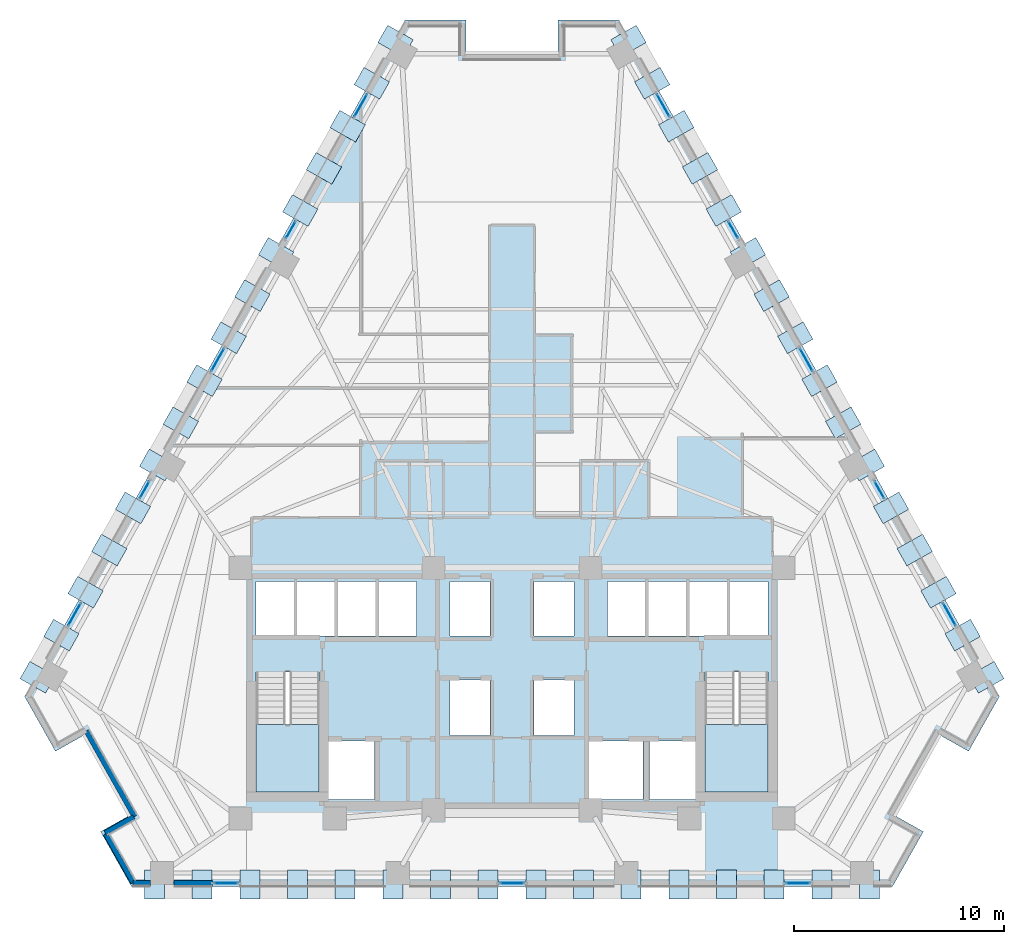
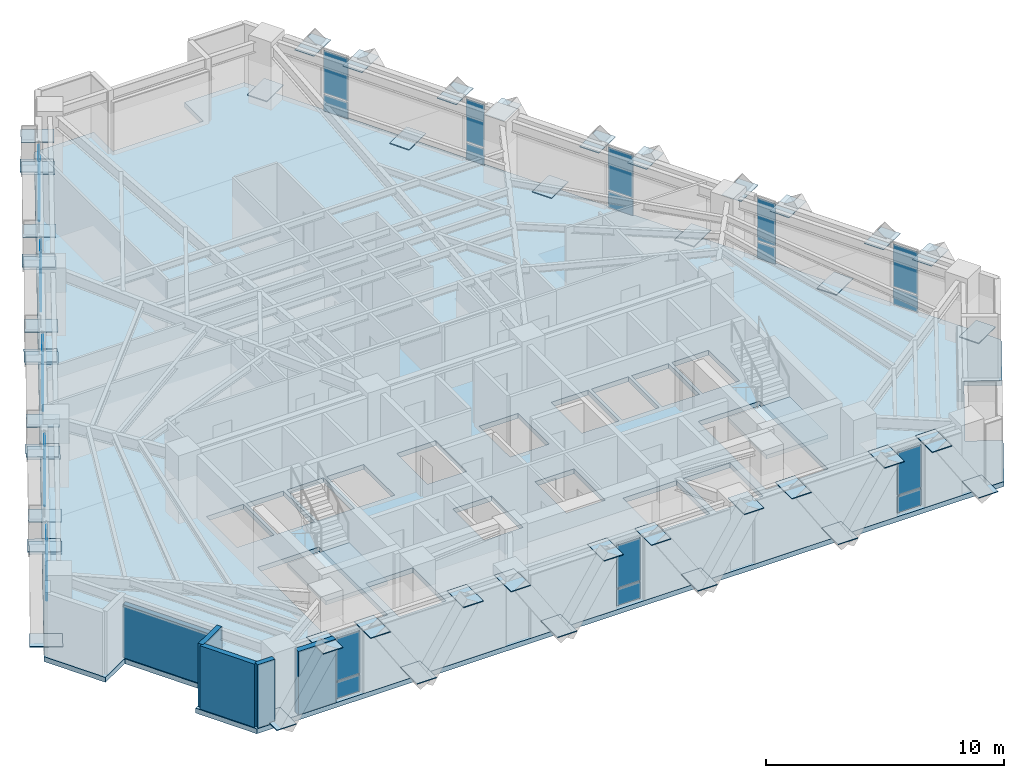
# One storey, part 6 of 13: 74 plates, 5 walls, 3 slabs, 15 elements without a shape of their own.
"""IFC4 building model written with IfcOpenShell, lengths in metres."""

import ifcopenshell
import ifcopenshell.guid

model = None  # the IFC model being written
_history = None  # IfcOwnerHistory: only IFC2X3 demands one
_inside = {}  # id of a spatial element -> (the spatial element, [elements in it])
_under = {}  # id of a project, library or spatial element -> (it, [spatial elements below it])
_declared = {}  # id of a project -> (the project, [libraries it declares])
_typed = {}  # id of a type object -> (the type object, [elements of that type])
_made_of = {}  # id of a material, layer set ... -> (it, [elements and type objects made of it])


def new_model(schema):
    """Start an empty IFC model of exactly this schema.

    Asked for "IFC4X3", IfcOpenShell would pick the latest addendum, in which some entities
    have other attributes; the version numbers below select the first issue.
    IFC2X3 requires an IfcOwnerHistory on every rooted entity: one is made here for all.
    """
    global model, _history
    if schema == "IFC4X3":
        model = ifcopenshell.file(schema_version=(4, 3, 0, 0))
    else:
        model = ifcopenshell.file(schema=schema)
    _inside.clear()
    _under.clear()
    _declared.clear()
    _typed.clear()
    _made_of.clear()
    _history = None
    if model.schema == "IFC2X3":
        org = make("IfcOrganization", Name="unknown")
        user = make(
            "IfcPersonAndOrganization",
            ThePerson=make("IfcPerson", FamilyName="unknown"),
            TheOrganization=org,
        )
        app = make(
            "IfcApplication",
            ApplicationDeveloper=org,
            Version="unknown",
            ApplicationFullName="unknown",
            ApplicationIdentifier="unknown",
        )
        _history = make(
            "IfcOwnerHistory",
            OwningUser=user,
            OwningApplication=app,
            ChangeAction="ADDED",
            CreationDate=0,
        )
    return model


def make(cls, **values):
    """One entity of the class cls with the attributes given. An attribute that is None is left unset."""
    return model.create_entity(
        cls, **{name: value for name, value in values.items() if value is not None}
    )


def rooted(cls, **values):
    """An entity with a GlobalId (a new one), such as an element, a storey or a relation."""
    return make(cls, GlobalId=ifcopenshell.guid.new(), OwnerHistory=_history, **values)


def si_unit(unit_type, name, prefix=None):
    """IfcSIUnit, for example si_unit("LENGTHUNIT", "METRE", prefix="MILLI")."""
    return make("IfcSIUnit", UnitType=unit_type, Prefix=prefix, Name=name)


def assignment(units):
    """IfcUnitAssignment: the units of a project."""
    return None if units is None else make("IfcUnitAssignment", Units=units)


def point(xyz):
    """IfcCartesianPoint."""
    return None if xyz is None else make("IfcCartesianPoint", Coordinates=xyz)


def direction(xyz):
    """IfcDirection."""
    return None if xyz is None else make("IfcDirection", DirectionRatios=xyz)


def frame(location, z_axis=None, x_axis=None):
    """IfcAxis2Placement3D, a coordinate frame: its origin and axes. An axis left out is left unset."""
    return make(
        "IfcAxis2Placement3D",
        Location=point(location),
        Axis=direction(z_axis),
        RefDirection=direction(x_axis),
    )


def frame_2d(location, x_axis=None):
    """IfcAxis2Placement2D, a coordinate frame in the plane: its origin and x axis."""
    return make(
        "IfcAxis2Placement2D", Location=point(location), RefDirection=direction(x_axis)
    )


def origin():
    """The frame at (0, 0, 0) with its axes left unset."""
    return frame((0.0, 0.0, 0.0))


def origin_2d():
    """The frame at (0, 0) in the plane with its x axis left unset."""
    return frame_2d((0.0, 0.0))


def place(relative_to, where):
    """IfcLocalPlacement: puts the frame where relative to a parent placement (None: the world)."""
    return make(
        "IfcLocalPlacement", PlacementRelTo=relative_to, RelativePlacement=where
    )


def context(
    kind, dimensions, precision=None, world=None, true_north=None, identifier=None
):
    """IfcGeometricRepresentationContext, for example the 3D "Model" context."""
    return make(
        "IfcGeometricRepresentationContext",
        ContextIdentifier=identifier,
        ContextType=kind,
        CoordinateSpaceDimension=dimensions,
        Precision=precision,
        WorldCoordinateSystem=world,
        TrueNorth=true_north,
    )


def subcontext(parent, identifier, kind, view, scale=None):
    """IfcGeometricRepresentationSubContext, for example "Body" below "Model"."""
    return make(
        "IfcGeometricRepresentationSubContext",
        ContextIdentifier=identifier,
        ContextType=kind,
        ParentContext=parent,
        TargetScale=scale,
        TargetView=view,
    )


def project(units=None, contexts=None):
    """IfcProject with its units and contexts."""
    return rooted(
        "IfcProject",
        Name="project",
        RepresentationContexts=contexts,
        UnitsInContext=assignment(units),
    )


def spatial(cls, under=None, at=None, **own):
    """A site, building, storey or space (cls), placed at a placement, below another one or the project."""
    s = rooted(cls, ObjectPlacement=at, **own)
    if under is not None:
        _under.setdefault(under.id(), (under, []))[1].append(s)
    return s


def polyline(points):
    """IfcPolyline through the points."""
    return make("IfcPolyline", Points=[point(p) for p in points])


def profile(cls, at=None, kind="AREA", **sizes):
    """A parametric profile (cls). Its sizes go by their IFC names, for example OverallWidth=200.0."""
    return make(cls, ProfileType=kind, Position=at, **sizes)


def rectangle(**sizes):
    """IfcRectangleProfileDef."""
    return profile("IfcRectangleProfileDef", **sizes)


def outline(outer, holes=None, kind="AREA"):
    """IfcArbitraryClosedProfileDef: a profile drawn as a closed curve; with holes, ...WithVoids."""
    if holes is None:
        return make("IfcArbitraryClosedProfileDef", ProfileType=kind, OuterCurve=outer)
    return make(
        "IfcArbitraryProfileDefWithVoids",
        ProfileType=kind,
        OuterCurve=outer,
        InnerCurves=holes,
    )


def extrude(swept, where, along, depth):
    """IfcExtrudedAreaSolid: the profile swept, set in the frame where, extruded along a direction by depth."""
    return make(
        "IfcExtrudedAreaSolid",
        SweptArea=swept,
        Position=where,
        ExtrudedDirection=direction(along),
        Depth=depth,
    )


def shape(context_of_items, identifier, shape_type, items):
    """IfcShapeRepresentation: the items that make up one representation, for example the "Body"."""
    return make(
        "IfcShapeRepresentation",
        ContextOfItems=context_of_items,
        RepresentationIdentifier=identifier,
        RepresentationType=shape_type,
        Items=items,
    )


def material(Name=None, Category=None):
    """IfcMaterial."""
    return make("IfcMaterial", Name=Name, Category=Category)


def layer(
    of_material, thickness, ventilated=None, Name=None, Category=None, Priority=None
):
    """IfcMaterialLayer: one layer of a wall or slab, of a material (None: an air gap)."""
    return make(
        "IfcMaterialLayer",
        Material=of_material,
        LayerThickness=thickness,
        IsVentilated=ventilated,
        Name=Name,
        Category=Category,
        Priority=Priority,
    )


def layer_set(layers, Name=None):
    """IfcMaterialLayerSet."""
    return make("IfcMaterialLayerSet", MaterialLayers=layers, LayerSetName=Name)


def made_of(thing, what):
    """Note that an element or type object is made of a material, layer set ...; save() writes the relation."""
    if what is not None:
        _made_of.setdefault(what.id(), (what, []))[1].append(thing)
    return thing


def type_object(cls, material=None, **own):
    """A type object (cls), such as IfcWallType, which elements share."""
    return made_of(rooted(cls, **own), material)


def element(
    cls,
    number,
    at=None,
    inside=None,
    cuts=None,
    type_object=None,
    material=None,
    context=None,
    identifier="Body",
    shape_type=None,
    held_by="IfcProductDefinitionShape",
    body=None,
    shapes=None,
    **own,
):
    """One element of the class cls, such as IfcWall. Its Tag is "e" and its number.

    at: its placement. inside: the storey or other place that contains it. cuts: it is an
    opening in that element (IfcRelVoidsElement). A single representation is given by context,
    identifier, shape_type and body (its items); several are given by shapes. held_by: the class
    of the entity that holds the representations. save() writes the other relations.
    """
    e = rooted(cls, Tag="e%d" % number, ObjectPlacement=at, **own)
    if body is not None:
        shapes = [shape(context, identifier, shape_type, body)]
    if shapes is not None:
        e.Representation = make(held_by, Representations=shapes)
    if inside is not None:
        _inside.setdefault(inside.id(), (inside, []))[1].append(e)
    if cuts is not None:
        rooted(
            "IfcRelVoidsElement", RelatingBuildingElement=cuts, RelatedOpeningElement=e
        )
    if type_object is not None:
        _typed.setdefault(type_object.id(), (type_object, []))[1].append(e)
    return made_of(e, material)


def aggregate(whole, parts):
    """IfcRelAggregates: a whole, such as a stair, and the parts it consists of."""
    return rooted("IfcRelAggregates", RelatingObject=whole, RelatedObjects=parts)


def save(model, path):
    """Write the relations noted so far, then the file.

    IfcRelAggregates (storeys below a building ...), IfcRelContainedInSpatialStructure (elements
    in a storey), IfcRelDefinesByType, IfcRelAssociatesMaterial and IfcRelDeclares: one each for
    every whole, place, type object, material and project.
    """
    for whole, parts in _under.values():
        aggregate(whole, parts)
    for where, things in _inside.values():
        rooted(
            "IfcRelContainedInSpatialStructure",
            RelatedElements=things,
            RelatingStructure=where,
        )
    for kind, things in _typed.values():
        rooted("IfcRelDefinesByType", RelatedObjects=things, RelatingType=kind)
    for what, things in _made_of.values():
        rooted("IfcRelAssociatesMaterial", RelatedObjects=things, RelatingMaterial=what)
    for by, libraries in _declared.values():
        rooted("IfcRelDeclares", RelatingContext=by, RelatedDefinitions=libraries)
    model.write(path)


model = new_model("IFC4")

# Units and contexts
model_context = context("Model", 3, precision=1e-05, world=origin(), true_north=direction((0.0, 1.0)))
body_context = subcontext(model_context, "Body", "Model", "MODEL_VIEW")
ifc_project = project(units=[si_unit("LENGTHUNIT", "METRE"), si_unit("AREAUNIT", "SQUARE_METRE"), si_unit("VOLUMEUNIT", "CUBIC_METRE"), si_unit("PLANEANGLEUNIT", "RADIAN"), si_unit("MASSUNIT", "GRAM", prefix="KILO")], contexts=[model_context])

# Site, building, storey
site_placement = place(None, origin())
site = spatial("IfcSite", under=ifc_project, at=site_placement, CompositionType="ELEMENT")
building_placement = place(site_placement, origin())
building = spatial("IfcBuilding", under=site, at=building_placement, Name="Quenlor Broadcast Tower", CompositionType="ELEMENT")
storey_placement = place(building_placement, frame((0.0, 0.0, 98.5)))
storey = spatial("IfcBuildingStorey", under=building, at=storey_placement, Name="L26", CompositionType="ELEMENT", Elevation=98.5)

# Curtain wall, plates
ifc_material_1 = material(Name="Architectural Terracotta and Low-E Glazing", Category="masonry")
curtain_wall_type = type_object("IfcCurtainWallType", Name="Unitised Terracotta Curtain Wall System Z2", PredefinedType="NOTDEFINED", material=ifc_material_1)
curtain_wall_1_placement = place(storey_placement, origin())
curtain_wall_1 = element("IfcCurtainWall", 1, at=curtain_wall_1_placement, inside=storey, type_object=curtain_wall_type, Name="L26 Curtain Wall CW2 (L26-SA-G1)", PredefinedType="NOTDEFINED")
ifc_material_2 = material(Name="Double Glazed Low-E Solar Glass", Category="glass")
ifc_layer_1 = layer(ifc_material_2, 0.030029296875)
ifc_layer_set_1 = layer_set([ifc_layer_1], Name="CW2 Double Glazed Vision Panel 30")
plate_type_1 = type_object("IfcPlateType", Name="CW2 Double Glazed Vision Panel 30", PredefinedType="CURTAIN_PANEL", material=ifc_layer_set_1)
plate_1_placement = place(storey_placement, frame((13.63525390625, -19.840087890625, 0.074951171875), z_axis=(0.0, 0.0, 1.0), x_axis=(-1.0, 0.0, 0.0)))
plate_1 = element("IfcPlate", 2, at=plate_1_placement, type_object=plate_type_1, Name="CW2 panel 1.1", PredefinedType="CURTAIN_PANEL", context=body_context, shape_type="SweptSolid", body=[
    extrude(rectangle(XDim=1.1630859375, YDim=0.030029296875, at=origin_2d()), origin(), (0.0, 0.0, 1.0), 0.83740234375),
])
plate_2_placement = place(storey_placement, frame((13.63525390625, -19.840087890625, 0.987548828125), z_axis=(0.0, 0.0, 1.0), x_axis=(-1.0, 0.0, 0.0)))
plate_2 = element("IfcPlate", 3, at=plate_2_placement, type_object=plate_type_1, Name="CW2 panel 1.2", PredefinedType="CURTAIN_PANEL", context=body_context, shape_type="SweptSolid", body=[
    extrude(rectangle(XDim=1.1630859375, YDim=0.030029296875, at=origin_2d()), origin(), (0.0, 0.0, 1.0), 2.1875),
])
aggregate(curtain_wall_1, [plate_1, plate_2])

curtain_wall_2_placement = place(storey_placement, origin())
curtain_wall_2 = element("IfcCurtainWall", 4, at=curtain_wall_2_placement, inside=storey, type_object=curtain_wall_type, Name="L26 Curtain Wall CW2 (L26-SC-G1)", PredefinedType="NOTDEFINED")
plate_3_placement = place(storey_placement, frame((-13.63525390625, -19.840087890625, 0.074951171875), z_axis=(0.0, 0.0, 1.0), x_axis=(-1.0, 0.0, 0.0)))
plate_3 = element("IfcPlate", 5, at=plate_3_placement, type_object=plate_type_1, Name="CW2 panel 1.1", PredefinedType="CURTAIN_PANEL", context=body_context, shape_type="SweptSolid", body=[
    extrude(rectangle(XDim=1.1630859375, YDim=0.030029296875, at=origin_2d()), origin(), (0.0, 0.0, 1.0), 0.83740234375),
])
plate_4_placement = place(storey_placement, frame((-13.63525390625, -19.840087890625, 0.987548828125), z_axis=(0.0, 0.0, 1.0), x_axis=(-1.0, 0.0, 0.0)))
plate_4 = element("IfcPlate", 6, at=plate_4_placement, type_object=plate_type_1, Name="CW2 panel 1.2", PredefinedType="CURTAIN_PANEL", context=body_context, shape_type="SweptSolid", body=[
    extrude(rectangle(XDim=1.1630859375, YDim=0.030029296875, at=origin_2d()), origin(), (0.0, 0.0, 1.0), 2.1875),
])
aggregate(curtain_wall_2, [plate_3, plate_4])

curtain_wall_3_placement = place(storey_placement, origin())
curtain_wall_3 = element("IfcCurtainWall", 7, at=curtain_wall_3_placement, inside=storey, type_object=curtain_wall_type, Name="L26 Curtain Wall CW2 (L26-S-G1)", PredefinedType="NOTDEFINED")
plate_5_placement = place(storey_placement, frame((0.0, -19.840087890625, 0.074951171875), z_axis=(0.0, 0.0, 1.0), x_axis=(-1.0, 0.0, 0.0)))
plate_5 = element("IfcPlate", 8, at=plate_5_placement, type_object=plate_type_1, Name="CW2 panel 1.1", PredefinedType="CURTAIN_PANEL", context=body_context, shape_type="SweptSolid", body=[
    extrude(rectangle(XDim=1.1630859375, YDim=0.030029296875, at=origin_2d()), origin(), (0.0, 0.0, 1.0), 0.83740234375),
])
plate_6_placement = place(storey_placement, frame((0.0, -19.840087890625, 0.987548828125), z_axis=(0.0, 0.0, 1.0), x_axis=(-1.0, 0.0, 0.0)))
plate_6 = element("IfcPlate", 9, at=plate_6_placement, type_object=plate_type_1, Name="CW2 panel 1.2", PredefinedType="CURTAIN_PANEL", context=body_context, shape_type="SweptSolid", body=[
    extrude(rectangle(XDim=1.1630859375, YDim=0.030029296875, at=origin_2d()), origin(), (0.0, 0.0, 1.0), 2.1875),
])
aggregate(curtain_wall_3, [plate_5, plate_6])

curtain_wall_4_placement = place(storey_placement, origin())
curtain_wall_4 = element("IfcCurtainWall", 10, at=curtain_wall_4_placement, inside=storey, type_object=curtain_wall_type, Name="L26 Curtain Wall CW2 (L26-NEA-G1)", PredefinedType="NOTDEFINED")
plate_7_placement = place(storey_placement, frame((7.209228515625, 17.257080078125, 0.074951171875), z_axis=(0.0, 0.0, 1.0), x_axis=(0.490247320704, -0.871583366376, 0.0)))
plate_7 = element("IfcPlate", 11, at=plate_7_placement, type_object=plate_type_1, Name="CW2 panel 1.1", PredefinedType="CURTAIN_PANEL", context=body_context, shape_type="SweptSolid", body=[
    extrude(rectangle(XDim=1.21435546875, YDim=0.030029296875, at=origin_2d()), origin(), (0.0, 0.0, 1.0), 0.83740234375),
])
plate_8_placement = place(storey_placement, frame((7.209228515625, 17.257080078125, 0.987548828125), z_axis=(0.0, 0.0, 1.0), x_axis=(0.490247320704, -0.871583366376, 0.0)))
plate_8 = element("IfcPlate", 12, at=plate_8_placement, type_object=plate_type_1, Name="CW2 panel 1.2", PredefinedType="CURTAIN_PANEL", context=body_context, shape_type="SweptSolid", body=[
    extrude(rectangle(XDim=1.21435546875, YDim=0.030029296875, at=origin_2d()), origin(), (0.0, 0.0, 1.0), 2.1875),
])
aggregate(curtain_wall_4, [plate_7, plate_8])

curtain_wall_5_placement = place(storey_placement, origin())
curtain_wall_5 = element("IfcCurtainWall", 13, at=curtain_wall_5_placement, inside=storey, type_object=curtain_wall_type, Name="L26 Curtain Wall CW2 (L26-NEA-G2)", PredefinedType="NOTDEFINED")
plate_9_placement = place(storey_placement, frame((10.54736328125, 11.322998046875, 0.074951171875), z_axis=(0.0, 0.0, 1.0), x_axis=(0.490252261371, -0.871580587336, 0.0)))
plate_9 = element("IfcPlate", 14, at=plate_9_placement, type_object=plate_type_1, Name="CW2 panel 1.1", PredefinedType="CURTAIN_PANEL", context=body_context, shape_type="SweptSolid", body=[
    extrude(rectangle(XDim=0.90771484375, YDim=0.030029296875, at=origin_2d()), origin(), (0.0, 0.0, 1.0), 0.83740234375),
])
plate_10_placement = place(storey_placement, frame((10.54736328125, 11.322998046875, 0.987548828125), z_axis=(0.0, 0.0, 1.0), x_axis=(0.490252261371, -0.871580587336, 0.0)))
plate_10 = element("IfcPlate", 15, at=plate_10_placement, type_object=plate_type_1, Name="CW2 panel 1.2", PredefinedType="CURTAIN_PANEL", context=body_context, shape_type="SweptSolid", body=[
    extrude(rectangle(XDim=0.90771484375, YDim=0.030029296875, at=origin_2d()), origin(), (0.0, 0.0, 1.0), 2.1875),
])
aggregate(curtain_wall_5, [plate_9, plate_10])

curtain_wall_6_placement = place(storey_placement, origin())
curtain_wall_6 = element("IfcCurtainWall", 16, at=curtain_wall_6_placement, inside=storey, type_object=curtain_wall_type, Name="L26 Curtain Wall CW2 (L26-NEC-G1)", PredefinedType="NOTDEFINED")
plate_11_placement = place(storey_placement, frame((17.523681640625, -1.079833984375, 0.074951171875), z_axis=(0.0, 0.0, 1.0), x_axis=(0.490252261371, -0.871580587336, 0.0)))
plate_11 = element("IfcPlate", 17, at=plate_11_placement, type_object=plate_type_1, Name="CW2 panel 1.1", PredefinedType="CURTAIN_PANEL", context=body_context, shape_type="SweptSolid", body=[
    extrude(rectangle(XDim=0.90771484375, YDim=0.030029296875, at=origin_2d()), origin(), (0.0, 0.0, 1.0), 0.83740234375),
])
plate_12_placement = place(storey_placement, frame((17.523681640625, -1.079833984375, 0.987548828125), z_axis=(0.0, 0.0, 1.0), x_axis=(0.490252261371, -0.871580587336, 0.0)))
plate_12 = element("IfcPlate", 18, at=plate_12_placement, type_object=plate_type_1, Name="CW2 panel 1.2", PredefinedType="CURTAIN_PANEL", context=body_context, shape_type="SweptSolid", body=[
    extrude(rectangle(XDim=0.90771484375, YDim=0.030029296875, at=origin_2d()), origin(), (0.0, 0.0, 1.0), 2.1875),
])
aggregate(curtain_wall_6, [plate_11, plate_12])

curtain_wall_7_placement = place(storey_placement, origin())
curtain_wall_7 = element("IfcCurtainWall", 19, at=curtain_wall_7_placement, inside=storey, type_object=curtain_wall_type, Name="L26 Curtain Wall CW2 (L26-NEC-G2)", PredefinedType="NOTDEFINED")
plate_13_placement = place(storey_placement, frame((20.861572265625, -7.013916015625, 0.074951171875), z_axis=(0.0, 0.0, 1.0), x_axis=(0.490278639232, -0.871565749621, 0.0)))
plate_13 = element("IfcPlate", 20, at=plate_13_placement, type_object=plate_type_1, Name="CW2 panel 1.1", PredefinedType="CURTAIN_PANEL", context=body_context, shape_type="SweptSolid", body=[
    extrude(rectangle(XDim=1.21435546875, YDim=0.030029296875, at=origin_2d()), origin(), (0.0, 0.0, 1.0), 0.83740234375),
])
plate_14_placement = place(storey_placement, frame((20.861572265625, -7.013916015625, 0.987548828125), z_axis=(0.0, 0.0, 1.0), x_axis=(0.490278639232, -0.871565749621, 0.0)))
plate_14 = element("IfcPlate", 21, at=plate_14_placement, type_object=plate_type_1, Name="CW2 panel 1.2", PredefinedType="CURTAIN_PANEL", context=body_context, shape_type="SweptSolid", body=[
    extrude(rectangle(XDim=1.21435546875, YDim=0.030029296875, at=origin_2d()), origin(), (0.0, 0.0, 1.0), 2.1875),
])
aggregate(curtain_wall_7, [plate_13, plate_14])

curtain_wall_8_placement = place(storey_placement, origin())
curtain_wall_8 = element("IfcCurtainWall", 22, at=curtain_wall_8_placement, inside=storey, type_object=curtain_wall_type, Name="L26 Curtain Wall CW2 (L26-NE-G1)", PredefinedType="NOTDEFINED")
plate_15_placement = place(storey_placement, frame((14.035400390625, 5.12158203125, 0.074951171875), z_axis=(0.0, 0.0, 1.0), x_axis=(0.490254279037, -0.871579452423, 0.0)))
plate_15 = element("IfcPlate", 23, at=plate_15_placement, type_object=plate_type_1, Name="CW2 panel 1.1", PredefinedType="CURTAIN_PANEL", context=body_context, shape_type="SweptSolid", body=[
    extrude(rectangle(XDim=1.214111328125, YDim=0.030029296875, at=origin_2d()), origin(), (0.0, 0.0, 1.0), 0.83740234375),
])
plate_16_placement = place(storey_placement, frame((14.035400390625, 5.12158203125, 0.987548828125), z_axis=(0.0, 0.0, 1.0), x_axis=(0.490254279037, -0.871579452423, 0.0)))
plate_16 = element("IfcPlate", 24, at=plate_16_placement, type_object=plate_type_1, Name="CW2 panel 1.2", PredefinedType="CURTAIN_PANEL", context=body_context, shape_type="SweptSolid", body=[
    extrude(rectangle(XDim=1.214111328125, YDim=0.030029296875, at=origin_2d()), origin(), (0.0, 0.0, 1.0), 2.1875),
])
aggregate(curtain_wall_8, [plate_15, plate_16])

curtain_wall_9_placement = place(storey_placement, origin())
curtain_wall_9 = element("IfcCurtainWall", 25, at=curtain_wall_9_placement, inside=storey, type_object=curtain_wall_type, Name="L26 Curtain Wall CW2 (L26-NWA-G1)", PredefinedType="NOTDEFINED")
plate_17_placement = place(storey_placement, frame((-20.861572265625, -7.013916015625, 0.074951171875), z_axis=(0.0, 0.0, 1.0), x_axis=(0.490278639232, 0.871565749621, 0.0)))
plate_17 = element("IfcPlate", 26, at=plate_17_placement, type_object=plate_type_1, Name="CW2 panel 1.1", PredefinedType="CURTAIN_PANEL", context=body_context, shape_type="SweptSolid", body=[
    extrude(rectangle(XDim=1.21435546875, YDim=0.030029296875, at=origin_2d()), origin(), (0.0, 0.0, 1.0), 0.83740234375),
])
plate_18_placement = place(storey_placement, frame((-20.861572265625, -7.013916015625, 0.987548828125), z_axis=(0.0, 0.0, 1.0), x_axis=(0.490278639232, 0.871565749621, 0.0)))
plate_18 = element("IfcPlate", 27, at=plate_18_placement, type_object=plate_type_1, Name="CW2 panel 1.2", PredefinedType="CURTAIN_PANEL", context=body_context, shape_type="SweptSolid", body=[
    extrude(rectangle(XDim=1.21435546875, YDim=0.030029296875, at=origin_2d()), origin(), (0.0, 0.0, 1.0), 2.1875),
])
aggregate(curtain_wall_9, [plate_17, plate_18])

curtain_wall_10_placement = place(storey_placement, origin())
curtain_wall_10 = element("IfcCurtainWall", 28, at=curtain_wall_10_placement, inside=storey, type_object=curtain_wall_type, Name="L26 Curtain Wall CW2 (L26-NWA-G2)", PredefinedType="NOTDEFINED")
plate_19_placement = place(storey_placement, frame((-17.523681640625, -1.079833984375, 0.074951171875), z_axis=(0.0, 0.0, 1.0), x_axis=(0.490252261371, 0.871580587336, 0.0)))
plate_19 = element("IfcPlate", 29, at=plate_19_placement, type_object=plate_type_1, Name="CW2 panel 1.1", PredefinedType="CURTAIN_PANEL", context=body_context, shape_type="SweptSolid", body=[
    extrude(rectangle(XDim=0.90771484375, YDim=0.030029296875, at=origin_2d()), origin(), (0.0, 0.0, 1.0), 0.83740234375),
])
plate_20_placement = place(storey_placement, frame((-17.523681640625, -1.079833984375, 0.987548828125), z_axis=(0.0, 0.0, 1.0), x_axis=(0.490252261371, 0.871580587336, 0.0)))
plate_20 = element("IfcPlate", 30, at=plate_20_placement, type_object=plate_type_1, Name="CW2 panel 1.2", PredefinedType="CURTAIN_PANEL", context=body_context, shape_type="SweptSolid", body=[
    extrude(rectangle(XDim=0.90771484375, YDim=0.030029296875, at=origin_2d()), origin(), (0.0, 0.0, 1.0), 2.1875),
])
aggregate(curtain_wall_10, [plate_19, plate_20])

curtain_wall_11_placement = place(storey_placement, origin())
curtain_wall_11 = element("IfcCurtainWall", 31, at=curtain_wall_11_placement, inside=storey, type_object=curtain_wall_type, Name="L26 Curtain Wall CW2 (L26-NWC-G1)", PredefinedType="NOTDEFINED")
plate_21_placement = place(storey_placement, frame((-10.54736328125, 11.322998046875, 0.074951171875), z_axis=(0.0, 0.0, 1.0), x_axis=(0.490252261371, 0.871580587336, 0.0)))
plate_21 = element("IfcPlate", 32, at=plate_21_placement, type_object=plate_type_1, Name="CW2 panel 1.1", PredefinedType="CURTAIN_PANEL", context=body_context, shape_type="SweptSolid", body=[
    extrude(rectangle(XDim=0.90771484375, YDim=0.030029296875, at=origin_2d()), origin(), (0.0, 0.0, 1.0), 0.83740234375),
])
plate_22_placement = place(storey_placement, frame((-10.54736328125, 11.322998046875, 0.987548828125), z_axis=(0.0, 0.0, 1.0), x_axis=(0.490252261371, 0.871580587336, 0.0)))
plate_22 = element("IfcPlate", 33, at=plate_22_placement, type_object=plate_type_1, Name="CW2 panel 1.2", PredefinedType="CURTAIN_PANEL", context=body_context, shape_type="SweptSolid", body=[
    extrude(rectangle(XDim=0.90771484375, YDim=0.030029296875, at=origin_2d()), origin(), (0.0, 0.0, 1.0), 2.1875),
])
aggregate(curtain_wall_11, [plate_21, plate_22])

curtain_wall_12_placement = place(storey_placement, origin())
curtain_wall_12 = element("IfcCurtainWall", 34, at=curtain_wall_12_placement, inside=storey, type_object=curtain_wall_type, Name="L26 Curtain Wall CW2 (L26-NWC-G2)", PredefinedType="NOTDEFINED")
plate_23_placement = place(storey_placement, frame((-7.209228515625, 17.257080078125, 0.074951171875), z_axis=(0.0, 0.0, 1.0), x_axis=(0.490247320704, 0.871583366376, 0.0)))
plate_23 = element("IfcPlate", 35, at=plate_23_placement, type_object=plate_type_1, Name="CW2 panel 1.1", PredefinedType="CURTAIN_PANEL", context=body_context, shape_type="SweptSolid", body=[
    extrude(rectangle(XDim=1.21435546875, YDim=0.030029296875, at=origin_2d()), origin(), (0.0, 0.0, 1.0), 0.83740234375),
])
plate_24_placement = place(storey_placement, frame((-7.209228515625, 17.257080078125, 0.987548828125), z_axis=(0.0, 0.0, 1.0), x_axis=(0.490247320704, 0.871583366376, 0.0)))
plate_24 = element("IfcPlate", 36, at=plate_24_placement, type_object=plate_type_1, Name="CW2 panel 1.2", PredefinedType="CURTAIN_PANEL", context=body_context, shape_type="SweptSolid", body=[
    extrude(rectangle(XDim=1.21435546875, YDim=0.030029296875, at=origin_2d()), origin(), (0.0, 0.0, 1.0), 2.1875),
])
aggregate(curtain_wall_12, [plate_23, plate_24])

curtain_wall_13_placement = place(storey_placement, origin())
curtain_wall_13 = element("IfcCurtainWall", 37, at=curtain_wall_13_placement, inside=storey, type_object=curtain_wall_type, Name="L26 Curtain Wall CW2 (L26-NW-G1)", PredefinedType="NOTDEFINED")
plate_25_placement = place(storey_placement, frame((-14.035400390625, 5.12158203125, 0.074951171875), z_axis=(0.0, 0.0, 1.0), x_axis=(0.490254279037, 0.871579452423, 0.0)))
plate_25 = element("IfcPlate", 38, at=plate_25_placement, type_object=plate_type_1, Name="CW2 panel 1.1", PredefinedType="CURTAIN_PANEL", context=body_context, shape_type="SweptSolid", body=[
    extrude(rectangle(XDim=1.214111328125, YDim=0.030029296875, at=origin_2d()), origin(), (0.0, 0.0, 1.0), 0.83740234375),
])
plate_26_placement = place(storey_placement, frame((-14.035400390625, 5.12158203125, 0.987548828125), z_axis=(0.0, 0.0, 1.0), x_axis=(0.490254279037, 0.871579452423, 0.0)))
plate_26 = element("IfcPlate", 39, at=plate_26_placement, type_object=plate_type_1, Name="CW2 panel 1.2", PredefinedType="CURTAIN_PANEL", context=body_context, shape_type="SweptSolid", body=[
    extrude(rectangle(XDim=1.214111328125, YDim=0.030029296875, at=origin_2d()), origin(), (0.0, 0.0, 1.0), 2.1875),
])
aggregate(curtain_wall_13, [plate_25, plate_26])

# Stair, slab
ifc_material_3 = material(Name="Precast concrete C40/50", Category="concrete")
stair_type = type_object("IfcStairType", Name="Precast Concrete C40/50 Dogleg Stair H350", PredefinedType="HALF_TURN_STAIR", material=ifc_material_3)
stair_1_placement = place(storey_placement, origin())
stair_1 = element("IfcStair", 40, at=stair_1_placement, inside=storey, type_object=stair_type, Name="L26 West Core Fire-Isolated Exit Stair ST-1", PredefinedType="HALF_TURN_STAIR")
ifc_material_4 = material(Name="Precast concrete C40/50", Category="concrete")
ifc_layer_2 = layer(ifc_material_4, 0.199951171875)
ifc_layer_set_2 = layer_set([ifc_layer_2], Name="Precast Concrete C40/50 Stair Landing Slab 200")
slab_type_1 = type_object("IfcSlabType", Name="Precast Concrete C40/50 Stair Landing Slab 200", PredefinedType="LANDING", material=ifc_layer_set_2)
slab_1_placement = place(storey_placement, frame((0.0, 0.0, 1.550048828125)))
slab_1 = element("IfcSlab", 41, at=slab_1_placement, type_object=slab_type_1, Name="ST-1 landing 1", PredefinedType="LANDING", context=body_context, shape_type="SweptSolid", body=[
    extrude(outline(polyline([(-12.199951171875, -12.27001953125), (-12.199951171875, -15.5), (-9.199951171875, -15.5), (-9.199951171875, -12.27001953125), (-12.199951171875, -12.27001953125)])), origin(), (0.0, 0.0, 1.0), 0.199951171875),
])
aggregate(stair_1, [slab_1])

stair_2_placement = place(storey_placement, origin())
stair_2 = element("IfcStair", 42, at=stair_2_placement, inside=storey, type_object=stair_type, Name="L26 East Core Fire-Isolated Exit Stair ST-2", PredefinedType="HALF_TURN_STAIR")
slab_2_placement = place(storey_placement, frame((0.0, 0.0, 1.550048828125)))
slab_2 = element("IfcSlab", 43, at=slab_2_placement, type_object=slab_type_1, Name="ST-2 landing 1", PredefinedType="LANDING", context=body_context, shape_type="SweptSolid", body=[
    extrude(outline(polyline([(9.199951171875, -12.27001953125), (9.199951171875, -15.5), (12.199951171875, -15.5), (12.199951171875, -12.27001953125), (9.199951171875, -12.27001953125)])), origin(), (0.0, 0.0, 1.0), 0.199951171875),
])
aggregate(stair_2, [slab_2])

# Slab
ifc_material_5 = material(Name="Concrete C40/50", Category="concrete")
ifc_layer_3 = layer(ifc_material_5, 0.25)
ifc_layer_set_3 = layer_set([ifc_layer_3], Name="Tower Composite Concrete C40/50 Slab 250")
slab_type_2 = type_object("IfcSlabType", Name="Tower Composite Concrete C40/50 Slab 250", PredefinedType="FLOOR", material=ifc_layer_set_3)
slab_3_placement = place(storey_placement, frame((0.0, 0.0, -0.25)))
element("IfcSlab", 44, at=slab_3_placement, inside=storey, type_object=slab_type_2, Name="L26 Structural Floor Slab", PredefinedType="FLOOR", context=body_context, shape_type="SweptSolid", body=[
    extrude(outline(polyline([(18.14404296875, -20.0), (19.616943359375, -17.381591796875), (18.222412109375, -16.596923828125), (20.379638671875, -12.76220703125), (21.774169921875, -13.54638671875), (23.2470703125, -10.927978515625), (5.10302734375, 21.327880859375), (2.199951171875, 21.327880859375), (2.199951171875, 19.72802734375), (-2.199951171875, 19.72802734375), (-2.199951171875, 21.327880859375), (-5.10302734375, 21.327880859375), (-23.2470703125, -10.927978515625), (-21.774169921875, -13.54638671875), (-20.379638671875, -12.76220703125), (-18.222412109375, -16.596923828125), (-19.616943359375, -17.381591796875), (-18.14404296875, -20.0), (18.14404296875, -20.0)]), holes=[polyline([(-12.199951171875, -9.758056640625), (-12.199951171875, -15.5), (-9.199951171875, -15.5), (-9.199951171875, -9.758056640625), (-12.199951171875, -9.758056640625)]), polyline([(9.199951171875, -9.758056640625), (9.199951171875, -15.5), (12.199951171875, -15.5), (12.199951171875, -9.758056640625), (9.199951171875, -9.758056640625)]), polyline([(-12.199951171875, -8.050048828125), (-10.39990234375, -8.050048828125), (-10.39990234375, -5.449951171875), (-12.199951171875, -5.449951171875), (-12.199951171875, -8.050048828125)]), polyline([(-10.25, -8.050048828125), (-8.449951171875, -8.050048828125), (-8.449951171875, -5.449951171875), (-10.25, -5.449951171875), (-10.25, -8.050048828125)]), polyline([(-8.300048828125, -8.050048828125), (-6.5, -8.050048828125), (-6.5, -5.449951171875), (-8.300048828125, -5.449951171875), (-8.300048828125, -8.050048828125)]), polyline([(-6.35009765625, -8.050048828125), (-4.550048828125, -8.050048828125), (-4.550048828125, -5.449951171875), (-6.35009765625, -5.449951171875), (-6.35009765625, -8.050048828125)]), polyline([(-2.949951171875, -8.050048828125), (-1.050048828125, -8.050048828125), (-1.050048828125, -5.449951171875), (-2.949951171875, -5.449951171875), (-2.949951171875, -8.050048828125)]), polyline([(1.050048828125, -8.050048828125), (2.949951171875, -8.050048828125), (2.949951171875, -5.449951171875), (1.050048828125, -5.449951171875), (1.050048828125, -8.050048828125)]), polyline([(-2.949951171875, -12.800048828125), (-1.050048828125, -12.800048828125), (-1.050048828125, -10.14990234375), (-2.949951171875, -10.14990234375), (-2.949951171875, -12.800048828125)]), polyline([(1.050048828125, -12.800048828125), (2.949951171875, -12.800048828125), (2.949951171875, -10.14990234375), (1.050048828125, -10.14990234375), (1.050048828125, -12.800048828125)]), polyline([(4.550048828125, -8.050048828125), (6.35009765625, -8.050048828125), (6.35009765625, -5.449951171875), (4.550048828125, -5.449951171875), (4.550048828125, -8.050048828125)]), polyline([(6.5, -8.050048828125), (8.300048828125, -8.050048828125), (8.300048828125, -5.449951171875), (6.5, -5.449951171875), (6.5, -8.050048828125)]), polyline([(8.449951171875, -8.050048828125), (10.25, -8.050048828125), (10.25, -5.449951171875), (8.449951171875, -5.449951171875), (8.449951171875, -8.050048828125)]), polyline([(10.39990234375, -8.050048828125), (12.199951171875, -8.050048828125), (12.199951171875, -5.449951171875), (10.39990234375, -5.449951171875), (10.39990234375, -8.050048828125)]), polyline([(-8.85009765625, -15.85009765625), (-6.550048828125, -15.85009765625), (-6.550048828125, -13.050048828125), (-8.85009765625, -13.050048828125), (-8.85009765625, -15.85009765625)]), polyline([(6.550048828125, -15.85009765625), (8.85009765625, -15.85009765625), (8.85009765625, -13.050048828125), (6.550048828125, -13.050048828125), (6.550048828125, -15.85009765625)]), polyline([(3.64990234375, -15.85009765625), (6.25, -15.85009765625), (6.25, -13.050048828125), (3.64990234375, -13.050048828125), (3.64990234375, -15.85009765625)])]), origin(), (0.0, 0.0, 1.0), 0.25),
])

# Plates
ifc_material_6 = material(Name="Steel S355", Category="steel")
ifc_layer_4 = layer(ifc_material_6, 0.035888671875)
ifc_layer_set_4 = layer_set([ifc_layer_4], Name="Transfer Truss Steel S355 Gusset Node Plate 1400x950x36")
plate_type_2 = type_object("IfcPlateType", Name="Transfer Truss Steel S355 Gusset Node Plate 1400x950x36", PredefinedType="SHEET", material=ifc_layer_set_4)
for number, where, z_axis, x_axis, name in (
    (45, (17.0439453125, -19.89990234375, 0.0419921875), (0.0, 0.0, 1.0), (0.0, -1.0, 0.0), "L26 Lattice Tie Gusset Node S-B0"),
    (46, (14.78515625, -19.89990234375, 3.18212890625), (0.0, 0.0, 1.0), (0.0, -1.0, 0.0), "L26 Lattice Tie Gusset Node S-T1"),
    (47, (10.226318359375, -19.89990234375, 0.0419921875), (0.0, 0.0, 1.0), (0.0, -1.0, 0.0), "L26 Lattice Tie Gusset Node S-B3"),
    (48, (12.4853515625, -19.89990234375, 3.18212890625), (0.0, 0.0, 1.0), (0.0, -1.0, 0.0), "L26 Lattice Tie Gusset Node S-T2"),
    (49, (7.967529296875, -19.89990234375, 3.18212890625), (0.0, 0.0, 1.0), (0.0, -1.0, 0.0), "L26 Lattice Tie Gusset Node S-T4"),
    (50, (3.40869140625, -19.89990234375, 0.0419921875), (0.0, 0.0, 1.0), (0.0, -1.0, 0.0), "L26 Lattice Tie Gusset Node S-B6"),
    (51, (5.667724609375, -19.89990234375, 3.18212890625), (0.0, 0.0, 1.0), (0.0, -1.0, 0.0), "L26 Lattice Tie Gusset Node S-T5"),
    (52, (1.14990234375, -19.89990234375, 3.18212890625), (0.0, 0.0, 1.0), (0.0, -1.0, 0.0), "L26 Lattice Tie Gusset Node S-T7"),
    (53, (-3.40869140625, -19.89990234375, 0.0419921875), (0.0, 0.0, 1.0), (0.0, -1.0, 0.0), "L26 Lattice Tie Gusset Node S-B9"),
    (54, (-1.14990234375, -19.89990234375, 3.18212890625), (0.0, 0.0, 1.0), (0.0, -1.0, 0.0), "L26 Lattice Tie Gusset Node S-T8"),
    (55, (-5.667724609375, -19.89990234375, 3.18212890625), (0.0, 0.0, 1.0), (0.0, -1.0, 0.0), "L26 Lattice Tie Gusset Node S-T10"),
    (56, (-10.226318359375, -19.89990234375, 0.0419921875), (0.0, 0.0, 1.0), (0.0, -1.0, 0.0), "L26 Lattice Tie Gusset Node S-B12"),
    (57, (-7.967529296875, -19.89990234375, 3.18212890625), (0.0, 0.0, 1.0), (0.0, -1.0, 0.0), "L26 Lattice Tie Gusset Node S-T11"),
    (58, (-12.4853515625, -19.89990234375, 3.18212890625), (0.0, 0.0, 1.0), (0.0, -1.0, 0.0), "L26 Lattice Tie Gusset Node S-T13"),
    (59, (-17.0439453125, -19.89990234375, 0.0419921875), (0.0, 0.0, 1.0), (0.0, -1.0, 0.0), "L26 Lattice Tie Gusset Node S-B15"),
    (60, (-14.78515625, -19.89990234375, 3.18212890625), (0.0, 0.0, 1.0), (0.0, -1.0, 0.0), "L26 Lattice Tie Gusset Node S-T14"),
    (61, (5.55517578125, 20.3203125, 0.0419921875), (0.0, 0.0, 1.0), (0.871556314255, 0.490295412055, 0.0), "L26 Lattice Tie Gusset Node NE-B0"),
    (62, (6.68603515625, 18.309814453125, 3.18212890625), (0.0, 0.0, 1.0), (0.871556314255, 0.490295412055, 0.0), "L26 Lattice Tie Gusset Node NE-T1"),
    (63, (8.96826171875, 14.252685546875, 0.0419921875), (0.0, 0.0, 1.0), (0.871556314255, 0.490295412055, 0.0), "L26 Lattice Tie Gusset Node NE-B3"),
    (64, (7.83740234375, 16.262939453125, 3.18212890625), (0.0, 0.0, 1.0), (0.871556314255, 0.490295412055, 0.0), "L26 Lattice Tie Gusset Node NE-T2"),
    (65, (10.09912109375, 12.2421875, 3.18212890625), (0.0, 0.0, 1.0), (0.871556314255, 0.490295412055, 0.0), "L26 Lattice Tie Gusset Node NE-T4"),
    (66, (12.38134765625, 8.184814453125, 0.0419921875), (0.0, 0.0, 1.0), (0.871556314255, 0.490295412055, 0.0), "L26 Lattice Tie Gusset Node NE-B6"),
    (67, (11.25048828125, 10.1953125, 3.18212890625), (0.0, 0.0, 1.0), (0.871556314255, 0.490295412055, 0.0), "L26 Lattice Tie Gusset Node NE-T5"),
    (68, (13.51220703125, 6.17431640625, 3.18212890625), (0.0, 0.0, 1.0), (0.871556314255, 0.490295412055, 0.0), "L26 Lattice Tie Gusset Node NE-T7"),
    (69, (15.794189453125, 2.1171875, 0.0419921875), (0.0, 0.0, 1.0), (0.871556314255, 0.490295412055, 0.0), "L26 Lattice Tie Gusset Node NE-B9"),
    (70, (14.66357421875, 4.127685546875, 3.18212890625), (0.0, 0.0, 1.0), (0.871556314255, 0.490295412055, 0.0), "L26 Lattice Tie Gusset Node NE-T8"),
    (71, (16.92529296875, 0.106689453125, 3.18212890625), (0.0, 0.0, 1.0), (0.871556314255, 0.490295412055, 0.0), "L26 Lattice Tie Gusset Node NE-T10"),
    (72, (19.20751953125, -3.950439453125, 0.0419921875), (0.0, 0.0, 1.0), (0.871556314255, 0.490295412055, 0.0), "L26 Lattice Tie Gusset Node NE-B12"),
    (73, (18.07666015625, -1.940185546875, 3.18212890625), (0.0, 0.0, 1.0), (0.871556314255, 0.490295412055, 0.0), "L26 Lattice Tie Gusset Node NE-T11"),
    (74, (20.33837890625, -5.9609375, 3.18212890625), (0.0, 0.0, 1.0), (0.871556314255, 0.490295412055, 0.0), "L26 Lattice Tie Gusset Node NE-T13"),
    (75, (22.62060546875, -10.018310546875, 0.0419921875), (0.0, 0.0, 1.0), (0.871556314255, 0.490295412055, 0.0), "L26 Lattice Tie Gusset Node NE-B15"),
    (76, (21.489501953125, -8.0078125, 3.18212890625), (0.0, 0.0, 1.0), (0.871556314255, 0.490295412055, 0.0), "L26 Lattice Tie Gusset Node NE-T14"),
    (77, (-22.62060546875, -10.018310546875, 0.0419921875), (0.0, 0.0, 1.0), (-0.871556314255, 0.490295412055, 0.0), "L26 Lattice Tie Gusset Node NW-B0"),
    (78, (-21.489501953125, -8.0078125, 3.18212890625), (0.0, 0.0, 1.0), (-0.871556314255, 0.490295412055, 0.0), "L26 Lattice Tie Gusset Node NW-T1"),
    (79, (-19.20751953125, -3.950439453125, 0.0419921875), (0.0, 0.0, 1.0), (-0.871556314255, 0.490295412055, 0.0), "L26 Lattice Tie Gusset Node NW-B3"),
    (80, (-20.33837890625, -5.9609375, 3.18212890625), (0.0, 0.0, 1.0), (-0.871556314255, 0.490295412055, 0.0), "L26 Lattice Tie Gusset Node NW-T2"),
    (81, (-18.07666015625, -1.940185546875, 3.18212890625), (0.0, 0.0, 1.0), (-0.871556314255, 0.490295412055, 0.0), "L26 Lattice Tie Gusset Node NW-T4"),
    (82, (-15.794189453125, 2.1171875, 0.0419921875), (0.0, 0.0, 1.0), (-0.871556314255, 0.490295412055, 0.0), "L26 Lattice Tie Gusset Node NW-B6"),
    (83, (-16.92529296875, 0.106689453125, 3.18212890625), (0.0, 0.0, 1.0), (-0.871556314255, 0.490295412055, 0.0), "L26 Lattice Tie Gusset Node NW-T5"),
    (84, (-14.66357421875, 4.127685546875, 3.18212890625), (0.0, 0.0, 1.0), (-0.871556314255, 0.490295412055, 0.0), "L26 Lattice Tie Gusset Node NW-T7"),
    (85, (-12.38134765625, 8.184814453125, 0.0419921875), (0.0, 0.0, 1.0), (-0.871556314255, 0.490295412055, 0.0), "L26 Lattice Tie Gusset Node NW-B9"),
    (86, (-13.51220703125, 6.17431640625, 3.18212890625), (0.0, 0.0, 1.0), (-0.871556314255, 0.490295412055, 0.0), "L26 Lattice Tie Gusset Node NW-T8"),
    (87, (-11.25048828125, 10.1953125, 3.18212890625), (0.0, 0.0, 1.0), (-0.871556314255, 0.490295412055, 0.0), "L26 Lattice Tie Gusset Node NW-T10"),
    (88, (-8.96826171875, 14.252685546875, 0.0419921875), (0.0, 0.0, 1.0), (-0.871556314255, 0.490295412055, 0.0), "L26 Lattice Tie Gusset Node NW-B12"),
    (89, (-10.09912109375, 12.2421875, 3.18212890625), (0.0, 0.0, 1.0), (-0.871556314255, 0.490295412055, 0.0), "L26 Lattice Tie Gusset Node NW-T11"),
    (90, (-7.83740234375, 16.262939453125, 3.18212890625), (0.0, 0.0, 1.0), (-0.871556314255, 0.490295412055, 0.0), "L26 Lattice Tie Gusset Node NW-T13"),
    (91, (-5.55517578125, 20.3203125, 0.0419921875), (0.0, 0.0, 1.0), (-0.871556314255, 0.490295412055, 0.0), "L26 Lattice Tie Gusset Node NW-B15"),
    (92, (-6.68603515625, 18.309814453125, 3.18212890625), (0.0, 0.0, 1.0), (-0.871556314255, 0.490295412055, 0.0), "L26 Lattice Tie Gusset Node NW-T14"),
):
    element("IfcPlate", number, at=place(storey_placement, frame(where, z_axis=z_axis, x_axis=x_axis)), inside=storey, type_object=plate_type_2, Name=name, PredefinedType="SHEET", context=body_context, shape_type="SweptSolid", body=[
        extrude(rectangle(XDim=1.39990234375, YDim=0.949951171875, at=origin_2d()), origin(), (0.0, 0.0, 1.0), 0.035888671875),
    ])

# Walls
ifc_material_7 = material(Name="Precast concrete C40/50", Category="concrete")
ifc_layer_5 = layer(ifc_material_7, 0.239990234375)
ifc_layer_set_5 = layer_set([ifc_layer_5], Name="Terrace Threshold Precast Concrete C40/50 Wall 240")
wall_type_1 = type_object("IfcWallType", Name="Terrace Threshold Precast Concrete C40/50 Wall 240", PredefinedType="STANDARD", material=ifc_layer_set_5)
wall_1_placement = place(storey_placement, frame((-17.24755859375, -19.840087890625, 0.0), z_axis=(0.0, 0.0, 1.0), x_axis=(-1.0, 0.0, 0.0)))
element("IfcWall", 93, at=wall_1_placement, inside=storey, type_object=wall_type_1, Name="L26 Exterior Wall L26-SHD-SS1", PredefinedType="STANDARD", context=body_context, shape_type="SweptSolid", body=[
    extrude(rectangle(XDim=0.83642578125, YDim=0.239990234375, at=frame_2d((0.418212890625, 0.0))), origin(), (0.0, 0.0, 1.0), 3.25),
])
wall_2_placement = place(storey_placement, frame((-20.299072265625, -12.5791015625, 0.0), z_axis=(0.0, 0.0, 1.0), x_axis=(0.490313250496, -0.871546278971, 0.0)))
element("IfcWall", 94, at=wall_2_placement, inside=storey, type_object=wall_type_1, Name="L26 Exterior Wall L26-CNR-14", PredefinedType="STANDARD", context=body_context, shape_type="SweptSolid", body=[
    extrude(rectangle(XDim=4.679931640625, YDim=0.239990234375, at=frame_2d((2.33984375, 0.0))), origin(), (0.0, 0.0, 1.0), 2.7216796875),
])
wall_3_placement = place(storey_placement, frame((-18.039306640625, -16.677490234375, 0.0), z_axis=(0.0, 0.0, 1.0), x_axis=(-0.871546278971, -0.490313250496, 0.0)))
element("IfcWall", 95, at=wall_3_placement, inside=storey, type_object=wall_type_1, Name="L26 Exterior Wall L26-CNR-15", PredefinedType="STANDARD", context=body_context, shape_type="SweptSolid", body=[
    extrude(rectangle(XDim=1.56005859375, YDim=0.239990234375, at=frame_2d((0.780029296875, 0.0))), origin(), (0.0, 0.0, 1.0), 3.25),
])
wall_4_placement = place(storey_placement, frame((-19.37939453125, -17.477294921875, 0.0), z_axis=(0.0, 0.0, 1.0), x_axis=(0.49023085981, -0.871592625078, 0.0)))
element("IfcWall", 96, at=wall_4_placement, inside=storey, type_object=wall_type_1, Name="L26 Exterior Wall L26-CNR-16", PredefinedType="STANDARD", context=body_context, shape_type="SweptSolid", body=[
    extrude(rectangle(XDim=2.6708984375, YDim=0.239990234375, at=frame_2d((1.33544921875, 0.0))), origin(), (0.0, 0.0, 1.0), 3.25),
])
ifc_material_8 = material(Name="Precast concrete C40/50", Category="concrete")
ifc_layer_6 = layer(ifc_material_8, 0.280029296875)
ifc_layer_set_6 = layer_set([ifc_layer_6], Name="Terracotta Precast Concrete C40/50 Facade Wall 280")
wall_type_2 = type_object("IfcWallType", Name="Terracotta Precast Concrete C40/50 Facade Wall 280", PredefinedType="STANDARD", material=ifc_layer_set_6)
wall_5_placement = place(storey_placement, frame((-14.291748046875, -19.840087890625, 0.0), z_axis=(0.0, 0.0, 1.0), x_axis=(-1.0, 0.0, 0.0)))
element("IfcWall", 97, at=wall_5_placement, inside=storey, type_object=wall_type_2, Name="L26 Exterior Wall L26-SC-SP2", PredefinedType="STANDARD", context=body_context, shape_type="SweptSolid", body=[
    extrude(rectangle(XDim=1.82568359375, YDim=0.280029296875, at=frame_2d((0.912841796875, 0.0))), origin(), (0.0, 0.0, 1.0), 3.25),
])

save(model, "model.ifc")
